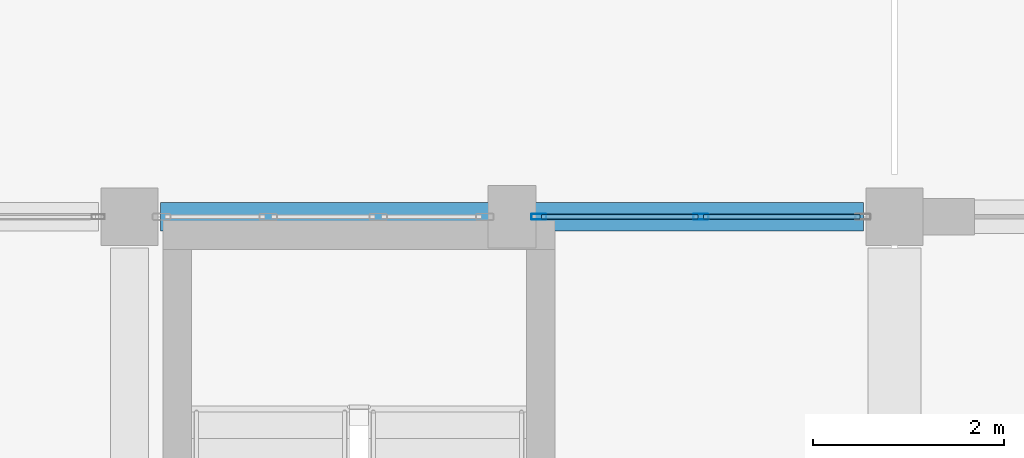
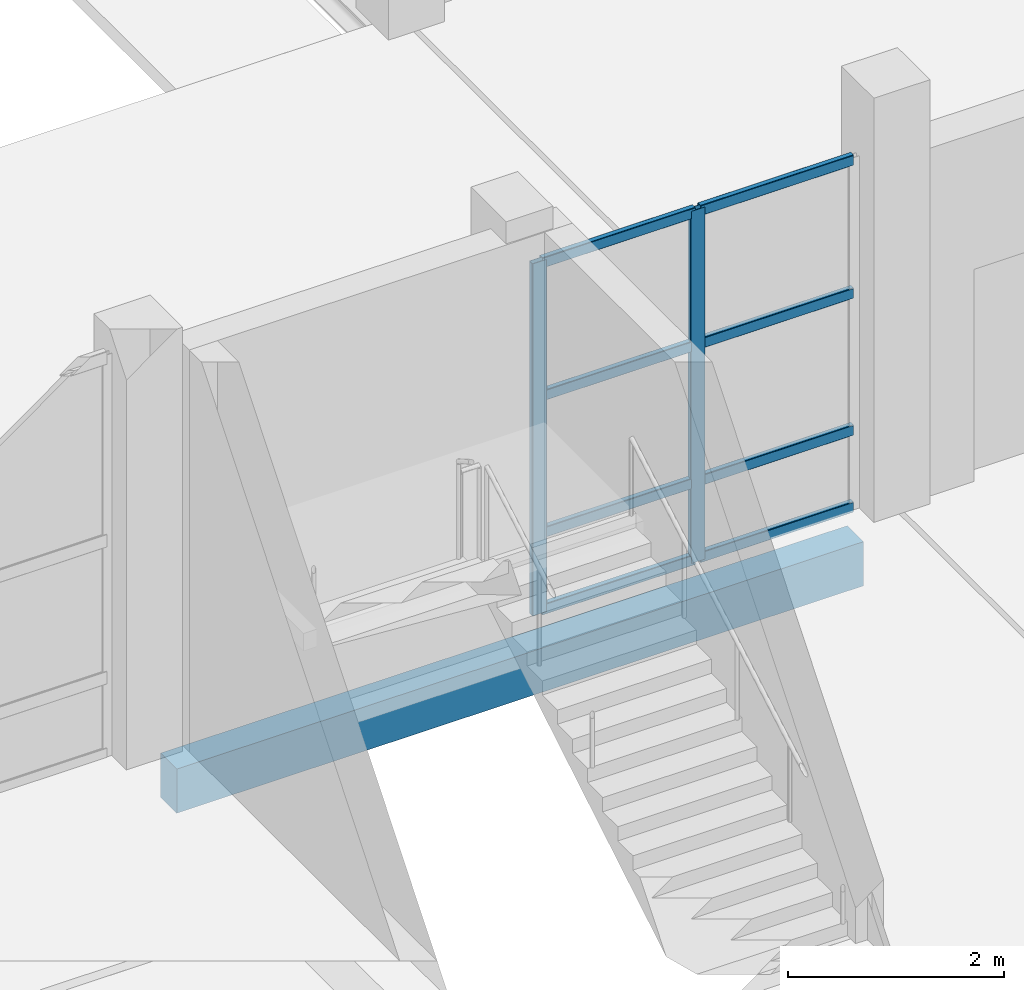
# One storey, part 48 of 156: 10 members, 1 beam, 1 element without a shape of its own.
"""IFC4 building model written with IfcOpenShell, lengths in metres."""

from ifc_helpers import new_model, si_unit, direction, frame, origin, origin_2d, place, context, subcontext, project, spatial, rectangle, hollow_rectangle, extrude, material, material_profile, profile_set, type_object, element, aggregate, save


model = new_model("IFC4")

# Units and contexts
model_context = context("Model", 3, precision=1e-05, world=origin(), true_north=direction((0.0, 1.0)))
body_context = subcontext(model_context, "Body", "Model", "MODEL_VIEW")
ifc_project = project(units=[si_unit("LENGTHUNIT", "METRE"), si_unit("AREAUNIT", "SQUARE_METRE"), si_unit("VOLUMEUNIT", "CUBIC_METRE"), si_unit("PLANEANGLEUNIT", "RADIAN"), si_unit("MASSUNIT", "GRAM", prefix="KILO")], contexts=[model_context])

# Site, building, storey
site_placement = place(None, origin())
site = spatial("IfcSite", under=ifc_project, at=site_placement, CompositionType="ELEMENT")
building_placement = place(site_placement, origin())
building = spatial("IfcBuilding", under=site, at=building_placement, Name="Luwemba Playhouse", CompositionType="ELEMENT")
storey_placement = place(building_placement, origin())
storey = spatial("IfcBuildingStorey", under=building, at=storey_placement, Name="L00", CompositionType="ELEMENT", Elevation=0.0)

# Beam
ifc_material_1 = material(Name="Concrete C40/50", Category="concrete")
ifc_material_profile_1 = material_profile(ifc_material_1, rectangle(XDim=0.300048828125, YDim=0.5, at=origin_2d()))
ifc_profile_set_1 = profile_set([ifc_material_profile_1], Name="Concrete C40/50")
beam_type = type_object("IfcBeamType", Name="BM-SP1", PredefinedType="SPANDREL", material=ifc_profile_set_1)
beam_placement = place(storey_placement, frame((124.324951171875, 27.0, -0.550048828125), z_axis=(1.0, 0.0, 0.0), x_axis=(0.0, 1.0, 0.0)))
element("IfcBeam", 1, at=beam_placement, inside=storey, type_object=beam_type, Name="L00 grid girder 0224", PredefinedType="SPANDREL", context=body_context, shape_type="SweptSolid", body=[
    extrude(rectangle(XDim=0.300048828125, YDim=0.5, at=origin_2d()), origin(), (0.0, 0.0, 1.0), 7.35009765625),
])

# Curtain wall, members
ifc_material_2 = material(Name="Solar-control double glazing", Category="glass")
curtain_wall_type = type_object("IfcCurtainWallType", Name="CW-CW50", PredefinedType="USERDEFINED", material=ifc_material_2)
curtain_wall_placement = place(storey_placement, origin())
curtain_wall = element("IfcCurtainWall", 2, at=curtain_wall_placement, inside=storey, type_object=curtain_wall_type, Name="L00 V5E unitised curtain wall 059", ObjectType="UNITISED GLAZING", PredefinedType="USERDEFINED")
ifc_material_3 = material(Name="Aluminium 6063-T6", Category="aluminium")
ifc_material_profile_2 = material_profile(ifc_material_3, hollow_rectangle(XDim=0.06005859375, YDim=0.159912109375, WallThickness=0.00390625, InnerFilletRadius=0.006103515625, OuterFilletRadius=0.010009765625, at=origin_2d()))
ifc_profile_set_2 = profile_set([ifc_material_profile_2], Name="Aluminium 6063-T6")
member_type_1 = type_object("IfcMemberType", Name="CWM-M1", PredefinedType="MULLION", material=ifc_profile_set_2)
member_1_placement = place(storey_placement, frame((128.280029296875, 27.0, 0.0), z_axis=(0.0, 0.0, 1.0), x_axis=(0.0, 1.0, 0.0)))
member_1 = element("IfcMember", 3, at=member_1_placement, type_object=member_type_1, Name="CW50 mullion 1", PredefinedType="MULLION", context=body_context, shape_type="SweptSolid", body=[
    extrude(hollow_rectangle(XDim=0.06005859375, YDim=0.159912109375, WallThickness=0.00390625, InnerFilletRadius=0.006103515625, OuterFilletRadius=0.010009765625, at=origin_2d()), origin(), (0.0, 0.0, 1.0), 3.985107421875),
])
member_2_placement = place(storey_placement, frame((129.97509765625, 27.0, 0.0), z_axis=(0.0, 0.0, 1.0), x_axis=(0.0, 1.0, 0.0)))
member_2 = element("IfcMember", 4, at=member_2_placement, type_object=member_type_1, Name="CW50 mullion 2", PredefinedType="MULLION", context=body_context, shape_type="SweptSolid", body=[
    extrude(hollow_rectangle(XDim=0.06005859375, YDim=0.159912109375, WallThickness=0.00390625, InnerFilletRadius=0.006103515625, OuterFilletRadius=0.010009765625, at=origin_2d()), origin(), (0.0, 0.0, 1.0), 3.985107421875),
])
ifc_material_profile_3 = material_profile(ifc_material_3, hollow_rectangle(XDim=0.06005859375, YDim=0.1201171875, WallThickness=0.00390625, InnerFilletRadius=0.006103515625, OuterFilletRadius=0.010009765625, at=origin_2d()))
ifc_profile_set_3 = profile_set([ifc_material_profile_3], Name="Aluminium 6063-T6")
member_type_2 = type_object("IfcMemberType", Name="CWT-T1", PredefinedType="USERDEFINED", material=ifc_profile_set_3)
member_3_placement = place(storey_placement, frame((128.31005859375, 27.0, 0.030029296875), z_axis=(1.0, 0.0, 0.0), x_axis=(0.0, 1.0, 0.0)))
member_3 = element("IfcMember", 5, at=member_3_placement, type_object=member_type_2, Name="CW50 transom 1.1", ObjectType="TRANSOM", PredefinedType="USERDEFINED", context=body_context, shape_type="SweptSolid", body=[
    extrude(hollow_rectangle(XDim=0.06005859375, YDim=0.1201171875, WallThickness=0.00390625, InnerFilletRadius=0.006103515625, OuterFilletRadius=0.010009765625, at=origin_2d()), origin(), (0.0, 0.0, 1.0), 1.635009765625),
])
member_4_placement = place(storey_placement, frame((128.31005859375, 27.0, 0.89990234375), z_axis=(1.0, 0.0, 0.0), x_axis=(0.0, 1.0, 0.0)))
member_4 = element("IfcMember", 6, at=member_4_placement, type_object=member_type_2, Name="CW50 transom 1.2", ObjectType="TRANSOM", PredefinedType="USERDEFINED", context=body_context, shape_type="SweptSolid", body=[
    extrude(hollow_rectangle(XDim=0.06005859375, YDim=0.1201171875, WallThickness=0.00390625, InnerFilletRadius=0.006103515625, OuterFilletRadius=0.010009765625, at=origin_2d()), origin(), (0.0, 0.0, 1.0), 1.635009765625),
])
member_5_placement = place(storey_placement, frame((128.31005859375, 27.0, 2.449951171875), z_axis=(1.0, 0.0, 0.0), x_axis=(0.0, 1.0, 0.0)))
member_5 = element("IfcMember", 7, at=member_5_placement, type_object=member_type_2, Name="CW50 transom 1.3", ObjectType="TRANSOM", PredefinedType="USERDEFINED", context=body_context, shape_type="SweptSolid", body=[
    extrude(hollow_rectangle(XDim=0.06005859375, YDim=0.1201171875, WallThickness=0.00390625, InnerFilletRadius=0.006103515625, OuterFilletRadius=0.010009765625, at=origin_2d()), origin(), (0.0, 0.0, 1.0), 1.635009765625),
])
member_6_placement = place(storey_placement, frame((128.31005859375, 27.0, 3.955078125), z_axis=(1.0, 0.0, 0.0), x_axis=(0.0, 1.0, 0.0)))
member_6 = element("IfcMember", 8, at=member_6_placement, type_object=member_type_2, Name="CW50 transom 1.4", ObjectType="TRANSOM", PredefinedType="USERDEFINED", context=body_context, shape_type="SweptSolid", body=[
    extrude(hollow_rectangle(XDim=0.06005859375, YDim=0.1201171875, WallThickness=0.00390625, InnerFilletRadius=0.006103515625, OuterFilletRadius=0.010009765625, at=origin_2d()), origin(), (0.0, 0.0, 1.0), 1.635009765625),
])
member_7_placement = place(storey_placement, frame((130.0048828125, 27.0, 0.030029296875), z_axis=(1.0, 0.0, 0.0), x_axis=(0.0, 1.0, 0.0)))
member_7 = element("IfcMember", 9, at=member_7_placement, type_object=member_type_2, Name="CW50 transom 2.1", ObjectType="TRANSOM", PredefinedType="USERDEFINED", context=body_context, shape_type="SweptSolid", body=[
    extrude(hollow_rectangle(XDim=0.06005859375, YDim=0.1201171875, WallThickness=0.00390625, InnerFilletRadius=0.006103515625, OuterFilletRadius=0.010009765625, at=origin_2d()), origin(), (0.0, 0.0, 1.0), 1.635009765625),
])
member_8_placement = place(storey_placement, frame((130.0048828125, 27.0, 0.89990234375), z_axis=(1.0, 0.0, 0.0), x_axis=(0.0, 1.0, 0.0)))
member_8 = element("IfcMember", 10, at=member_8_placement, type_object=member_type_2, Name="CW50 transom 2.2", ObjectType="TRANSOM", PredefinedType="USERDEFINED", context=body_context, shape_type="SweptSolid", body=[
    extrude(hollow_rectangle(XDim=0.06005859375, YDim=0.1201171875, WallThickness=0.00390625, InnerFilletRadius=0.006103515625, OuterFilletRadius=0.010009765625, at=origin_2d()), origin(), (0.0, 0.0, 1.0), 1.635009765625),
])
member_9_placement = place(storey_placement, frame((130.0048828125, 27.0, 2.449951171875), z_axis=(1.0, 0.0, 0.0), x_axis=(0.0, 1.0, 0.0)))
member_9 = element("IfcMember", 11, at=member_9_placement, type_object=member_type_2, Name="CW50 transom 2.3", ObjectType="TRANSOM", PredefinedType="USERDEFINED", context=body_context, shape_type="SweptSolid", body=[
    extrude(hollow_rectangle(XDim=0.06005859375, YDim=0.1201171875, WallThickness=0.00390625, InnerFilletRadius=0.006103515625, OuterFilletRadius=0.010009765625, at=origin_2d()), origin(), (0.0, 0.0, 1.0), 1.635009765625),
])
member_10_placement = place(storey_placement, frame((130.0048828125, 27.0, 3.955078125), z_axis=(1.0, 0.0, 0.0), x_axis=(0.0, 1.0, 0.0)))
member_10 = element("IfcMember", 12, at=member_10_placement, type_object=member_type_2, Name="CW50 transom 2.4", ObjectType="TRANSOM", PredefinedType="USERDEFINED", context=body_context, shape_type="SweptSolid", body=[
    extrude(hollow_rectangle(XDim=0.06005859375, YDim=0.1201171875, WallThickness=0.00390625, InnerFilletRadius=0.006103515625, OuterFilletRadius=0.010009765625, at=origin_2d()), origin(), (0.0, 0.0, 1.0), 1.635009765625),
])
aggregate(curtain_wall, [member_1, member_2, member_3, member_4, member_5, member_6, member_7, member_8, member_9, member_10])

save(model, "model.ifc")
